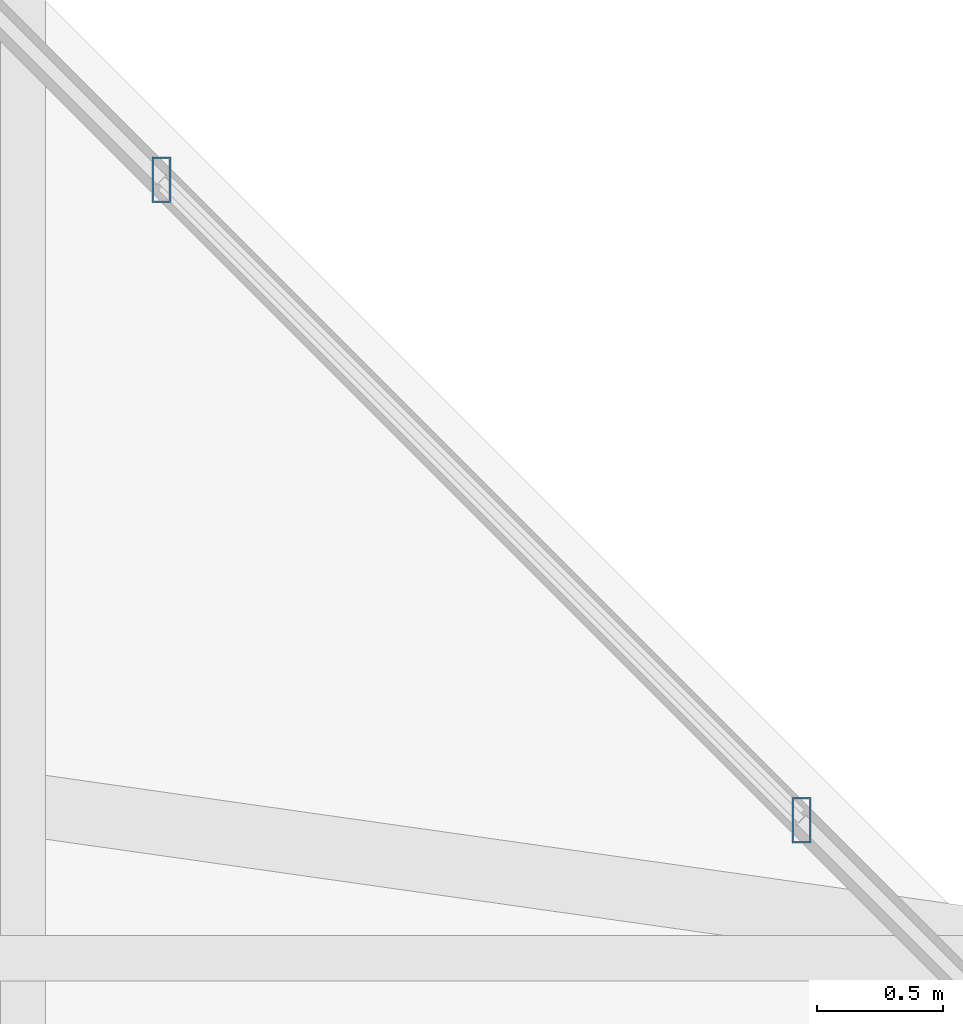
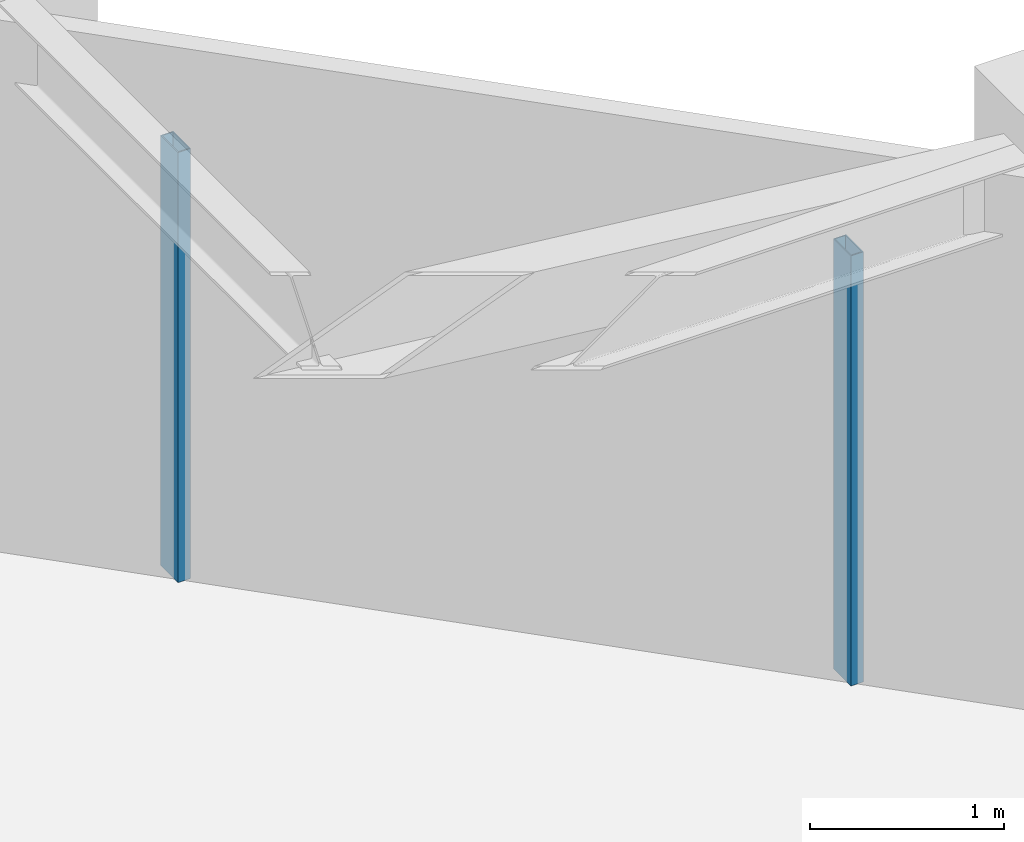
# One storey, part 9 of 31: 2 members, 1 element without a shape of its own.
"""IFC4 building model written with IfcOpenShell, lengths in metres."""

from ifc_helpers import new_model, si_unit, direction, frame, origin, origin_2d, place, context, subcontext, project, spatial, hollow_rectangle, extrude, material, material_profile, profile_set, type_object, element, aggregate, save


model = new_model("IFC4")

# Units and contexts
model_context = context("Model", 3, precision=1e-05, world=origin(), true_north=direction((0.0, 1.0)))
body_context = subcontext(model_context, "Body", "Model", "MODEL_VIEW")
ifc_project = project(units=[si_unit("LENGTHUNIT", "METRE"), si_unit("AREAUNIT", "SQUARE_METRE"), si_unit("VOLUMEUNIT", "CUBIC_METRE"), si_unit("PLANEANGLEUNIT", "RADIAN"), si_unit("MASSUNIT", "GRAM", prefix="KILO")], contexts=[model_context])

# Site, building, storey
site_placement = place(None, origin())
site = spatial("IfcSite", under=ifc_project, at=site_placement, CompositionType="ELEMENT")
building_placement = place(site_placement, origin())
building = spatial("IfcBuilding", under=site, at=building_placement, Name="Thornwick Lancets Civic Towers", CompositionType="ELEMENT")
storey_placement = place(building_placement, frame((0.0, 0.0, 233.10009765625)))
storey = spatial("IfcBuildingStorey", under=building, at=storey_placement, Name="L62", CompositionType="ELEMENT", Elevation=233.10009765625)

# Curtain wall, members
ifc_material_1 = material(Name="High-zone chamfered-corner unitised glass curtain wall", Category="glass")
curtain_wall_type = type_object("IfcCurtainWallType", Name="CW_SYS_05", PredefinedType="NOTDEFINED", material=ifc_material_1)
curtain_wall_placement = place(storey_placement, origin())
curtain_wall = element("IfcCurtainWall", 1, at=curtain_wall_placement, inside=storey, type_object=curtain_wall_type, Name="L62 Curtain Wall CW-L62-A-E3", PredefinedType="NOTDEFINED")
ifc_material_2 = material(Name="Thermally broken bronze aluminium S355", Category="steel")
ifc_material_profile = material_profile(ifc_material_2, hollow_rectangle(XDim=0.074951171875, YDim=0.179931640625, WallThickness=0.006103515625, at=origin_2d()), Name="RHS 180x75x6")
ifc_profile_set = profile_set([ifc_material_profile], Name="Thermally broken bronze aluminium S355")
member_type = type_object("IfcMemberType", Name="CW_MUL_180", PredefinedType="MULLION", material=ifc_profile_set)
member_1_placement = place(storey_placement, frame((41.5791015625, 40.546875, 0.0), z_axis=(0.0, 0.0, 1.0), x_axis=(1.0, 0.0, 0.0)))
member_1 = element("IfcMember", 2, at=member_1_placement, type_object=member_type, Name="CW-L62-A-E3 Mullion 0", PredefinedType="MULLION", context=body_context, shape_type="SweptSolid", body=[
    extrude(hollow_rectangle(XDim=0.074951171875, YDim=0.179931640625, WallThickness=0.006103515625, at=origin_2d()), origin(), (0.0, 0.0, 1.0), 2.699951171875),
])
member_2_placement = place(storey_placement, frame((39.046875, 43.0791015625, 0.0), z_axis=(0.0, 0.0, 1.0), x_axis=(1.0, 0.0, 0.0)))
member_2 = element("IfcMember", 3, at=member_2_placement, type_object=member_type, Name="CW-L62-A-E3 Mullion 1", PredefinedType="MULLION", context=body_context, shape_type="SweptSolid", body=[
    extrude(hollow_rectangle(XDim=0.074951171875, YDim=0.179931640625, WallThickness=0.006103515625, at=origin_2d()), origin(), (0.0, 0.0, 1.0), 2.699951171875),
])
aggregate(curtain_wall, [member_1, member_2])

save(model, "model.ifc")
